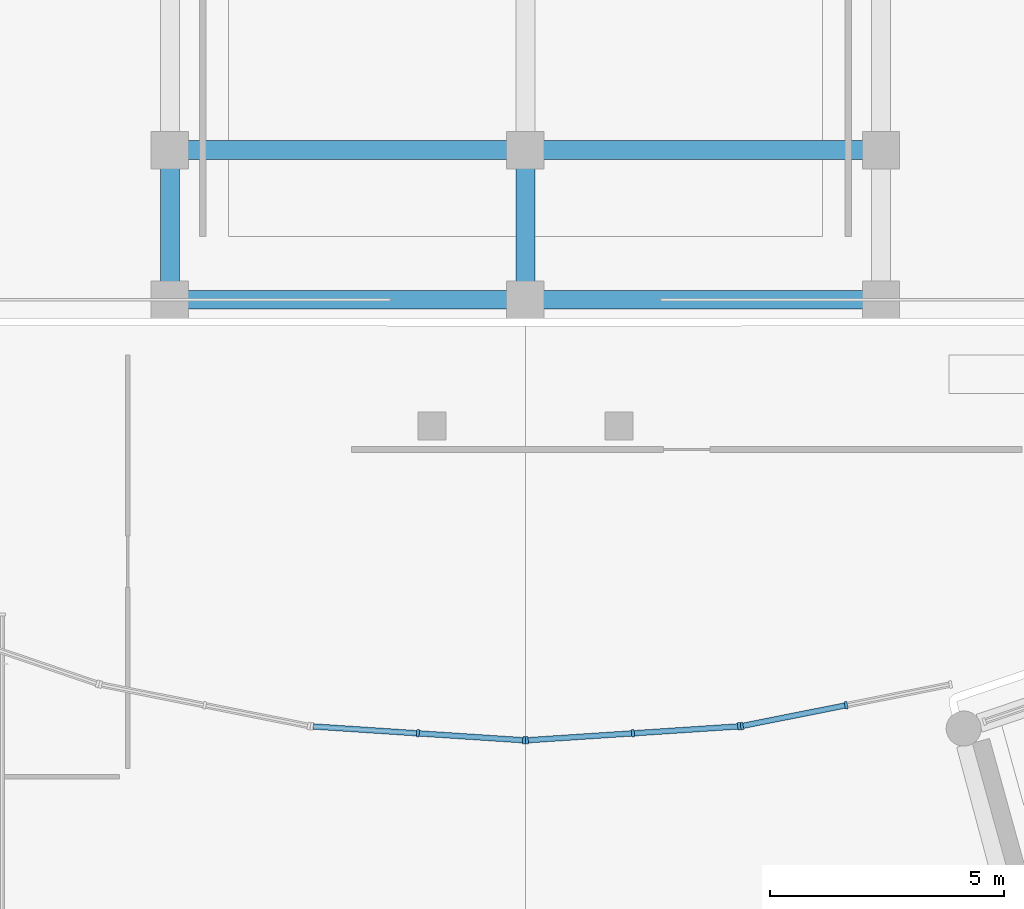
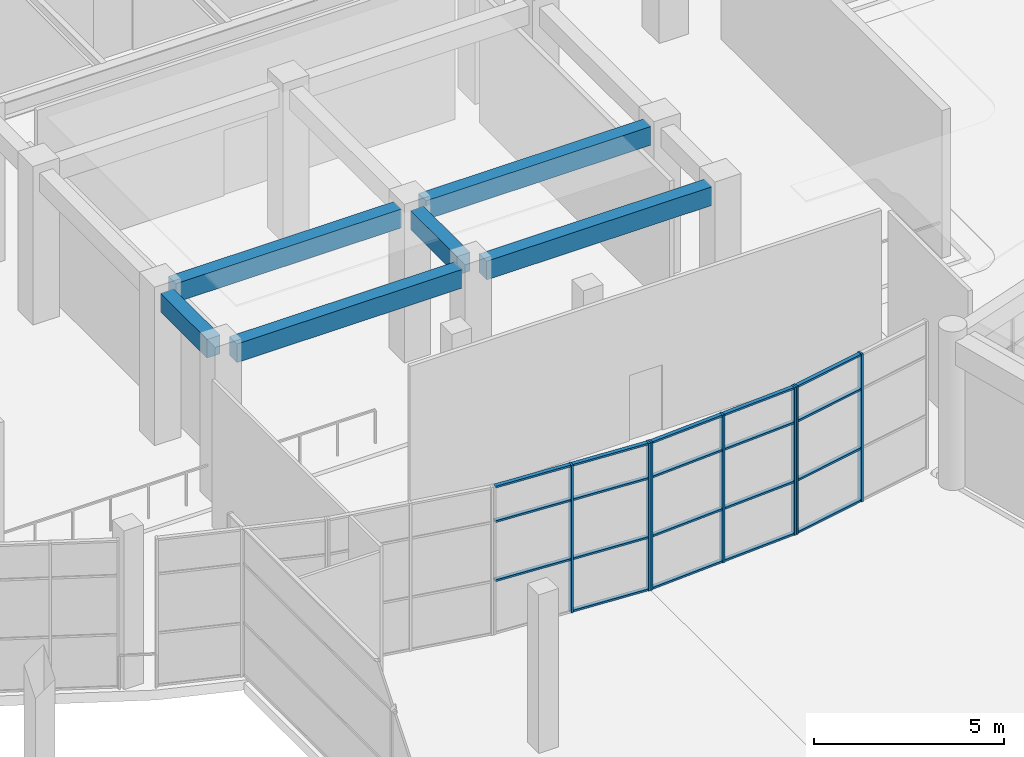
# One storey, part 24 of 99: 26 members, 6 beams, 3 elements without a shape of their own.
"""IFC4 building model written with IfcOpenShell, lengths in metres."""

from ifc_helpers import new_model, si_unit, direction, frame, origin, origin_2d, place, context, subcontext, project, spatial, rectangle, extrude, material, material_profile, profile_set, type_object, element, aggregate, save


model = new_model("IFC4")

# Units and contexts
model_context = context("Model", 3, precision=1e-05, world=origin(), true_north=direction((0.0, 1.0)))
body_context = subcontext(model_context, "Body", "Model", "MODEL_VIEW")
ifc_project = project(units=[si_unit("LENGTHUNIT", "METRE"), si_unit("AREAUNIT", "SQUARE_METRE"), si_unit("VOLUMEUNIT", "CUBIC_METRE"), si_unit("PLANEANGLEUNIT", "RADIAN"), si_unit("MASSUNIT", "GRAM", prefix="KILO")], contexts=[model_context])

# Site, building, storey
site_placement = place(None, origin())
site = spatial("IfcSite", under=ifc_project, at=site_placement, CompositionType="ELEMENT")
building_placement = place(site_placement, origin())
building = spatial("IfcBuilding", under=site, at=building_placement, Name="Saryqyr Civic Hall", CompositionType="ELEMENT")
storey_placement = place(building_placement, origin())
storey = spatial("IfcBuildingStorey", under=building, at=storey_placement, Name="L00", CompositionType="ELEMENT", Elevation=0.0)

# Curtain wall, members
ifc_material_1 = material(Name="Anodised aluminium and triple low-E glass", Category="aluminium")
curtain_wall_type = type_object("IfcCurtainWallType", Name="ENV-CW-STD-67", PredefinedType="NOTDEFINED", material=ifc_material_1)
curtain_wall_1_placement = place(storey_placement, origin())
curtain_wall_1 = element("IfcCurtainWall", 1, at=curtain_wall_1_placement, inside=storey, type_object=curtain_wall_type, Name="Curtain wall V2-PERIM-CW-L00-35", PredefinedType="NOTDEFINED")
ifc_material_2 = material(Name="Anodised aluminium", Category="aluminium")
ifc_material_profile_1 = material_profile(ifc_material_2, rectangle(XDim=0.06005859375, YDim=0.159912109375, at=origin_2d()), Name="ALU MULLION 60x160")
ifc_profile_set_1 = profile_set([ifc_material_profile_1], Name="Anodised aluminium")
member_type_1 = type_object("IfcMemberType", Name="ENV-CW-MUL-180", PredefinedType="MULLION", material=ifc_profile_set_1)
member_1_placement = place(storey_placement, frame((56.969970703125, 48.781982421875, 0.0), z_axis=(0.0, 0.0, 1.0), x_axis=(-0.997859062814, 0.065400999681, 0.0)))
member_1 = element("IfcMember", 2, at=member_1_placement, type_object=member_type_1, Name="CW-67 mullion 1", PredefinedType="MULLION", context=body_context, shape_type="SweptSolid", body=[
    extrude(rectangle(XDim=0.06005859375, YDim=0.159912109375, at=origin_2d()), origin(), (0.0, 0.0, 1.0), 4.75),
])
member_2_placement = place(storey_placement, frame((54.701416015625, 48.9306640625, 0.0), z_axis=(0.0, 0.0, 1.0), x_axis=(-0.997859062814, 0.065400999681, 0.0)))
member_2 = element("IfcMember", 3, at=member_2_placement, type_object=member_type_1, Name="CW-67 mullion 2", PredefinedType="MULLION", context=body_context, shape_type="SweptSolid", body=[
    extrude(rectangle(XDim=0.06005859375, YDim=0.159912109375, at=origin_2d()), origin(), (0.0, 0.0, 1.0), 4.75),
])

curtain_wall_2_placement = place(storey_placement, origin())
curtain_wall_2 = element("IfcCurtainWall", 4, at=curtain_wall_2_placement, inside=storey, type_object=curtain_wall_type, Name="Curtain wall V2-PERIM-CW-L00-36", PredefinedType="NOTDEFINED")
member_3_placement = place(storey_placement, frame((61.567138671875, 49.079345703125, 0.0), z_axis=(0.0, 0.0, 1.0), x_axis=(-0.997859062814, -0.065400999681, 0.0)))
member_3 = element("IfcMember", 5, at=member_3_placement, type_object=member_type_1, Name="CW-67 mullion 1", PredefinedType="MULLION", context=body_context, shape_type="SweptSolid", body=[
    extrude(rectangle(XDim=0.06005859375, YDim=0.159912109375, at=origin_2d()), origin(), (0.0, 0.0, 1.0), 4.75),
])
member_4_placement = place(storey_placement, frame((59.298583984375, 48.9306640625, 0.0), z_axis=(0.0, 0.0, 1.0), x_axis=(-0.997859062814, -0.065400999681, 0.0)))
member_4 = element("IfcMember", 6, at=member_4_placement, type_object=member_type_1, Name="CW-67 mullion 2", PredefinedType="MULLION", context=body_context, shape_type="SweptSolid", body=[
    extrude(rectangle(XDim=0.06005859375, YDim=0.159912109375, at=origin_2d()), origin(), (0.0, 0.0, 1.0), 4.75),
])
member_5_placement = place(storey_placement, frame((57.030029296875, 48.781982421875, 0.0), z_axis=(0.0, 0.0, 1.0), x_axis=(-0.997859062814, -0.065400999681, 0.0)))
member_5 = element("IfcMember", 7, at=member_5_placement, type_object=member_type_1, Name="CW-67 mullion 3", PredefinedType="MULLION", context=body_context, shape_type="SweptSolid", body=[
    extrude(rectangle(XDim=0.06005859375, YDim=0.159912109375, at=origin_2d()), origin(), (0.0, 0.0, 1.0), 4.75),
])

curtain_wall_3_placement = place(storey_placement, origin())
curtain_wall_3 = element("IfcCurtainWall", 8, at=curtain_wall_3_placement, inside=storey, type_object=curtain_wall_type, Name="Curtain wall V2-PERIM-CW-L00-37", PredefinedType="NOTDEFINED")
member_6_placement = place(storey_placement, frame((63.8564453125, 49.53076171875, 0.0), z_axis=(0.0, 0.0, 1.0), x_axis=(-0.980784679507, -0.195093342902, 0.0)))
member_6 = element("IfcMember", 9, at=member_6_placement, type_object=member_type_1, Name="CW-67 mullion 2", PredefinedType="MULLION", context=body_context, shape_type="SweptSolid", body=[
    extrude(rectangle(XDim=0.06005859375, YDim=0.159912109375, at=origin_2d()), origin(), (0.0, 0.0, 1.0), 4.75),
])
member_7_placement = place(storey_placement, frame((61.62646484375, 49.087158203125, 0.0), z_axis=(0.0, 0.0, 1.0), x_axis=(-0.980784679507, -0.195093342902, 0.0)))
member_7 = element("IfcMember", 10, at=member_7_placement, type_object=member_type_1, Name="CW-67 mullion 3", PredefinedType="MULLION", context=body_context, shape_type="SweptSolid", body=[
    extrude(rectangle(XDim=0.06005859375, YDim=0.159912109375, at=origin_2d()), origin(), (0.0, 0.0, 1.0), 4.75),
])

# Member
ifc_material_profile_2 = material_profile(ifc_material_2, rectangle(XDim=0.1201171875, YDim=0.06005859375, at=origin_2d()), Name="ALU TRANSOM 120x60")
ifc_profile_set_2 = profile_set([ifc_material_profile_2], Name="Anodised aluminium")
member_type_2 = type_object("IfcMemberType", Name="ENV-CW-TRN-150", PredefinedType="USERDEFINED", material=ifc_profile_set_2)
member_8_placement = place(storey_placement, frame((56.940185546875, 48.783935546875, 0.030029296875), z_axis=(-0.997858719579, 0.0654062364, 0.0), x_axis=(-0.0654062364, -0.997858719579, 0.0)))
member_8 = element("IfcMember", 11, at=member_8_placement, type_object=member_type_2, Name="CW-67 transom 1.1", ObjectType="TRANSOM", PredefinedType="USERDEFINED", context=body_context, shape_type="SweptSolid", body=[
    extrude(rectangle(XDim=0.1201171875, YDim=0.06005859375, at=origin_2d()), origin(), (0.0, 0.0, 1.0), 2.21337890625),
])

member_9_placement = place(storey_placement, frame((56.940185546875, 48.783935546875, 1.7099609375), z_axis=(-0.997858719579, 0.0654062364, 0.0), x_axis=(-0.0654062364, -0.997858719579, 0.0)))
member_9 = element("IfcMember", 12, at=member_9_placement, type_object=member_type_2, Name="CW-67 transom 1.2", ObjectType="TRANSOM", PredefinedType="USERDEFINED", context=body_context, shape_type="SweptSolid", body=[
    extrude(rectangle(XDim=0.1201171875, YDim=0.06005859375, at=origin_2d()), origin(), (0.0, 0.0, 1.0), 2.21337890625),
])

member_10_placement = place(storey_placement, frame((56.940185546875, 48.783935546875, 3.610107421875), z_axis=(-0.997858719579, 0.0654062364, 0.0), x_axis=(-0.0654062364, -0.997858719579, 0.0)))
member_10 = element("IfcMember", 13, at=member_10_placement, type_object=member_type_2, Name="CW-67 transom 1.3", ObjectType="TRANSOM", PredefinedType="USERDEFINED", context=body_context, shape_type="SweptSolid", body=[
    extrude(rectangle(XDim=0.1201171875, YDim=0.06005859375, at=origin_2d()), origin(), (0.0, 0.0, 1.0), 2.21337890625),
])

member_11_placement = place(storey_placement, frame((56.940185546875, 48.783935546875, 4.719970703125), z_axis=(-0.997858719579, 0.0654062364, 0.0), x_axis=(-0.0654062364, -0.997858719579, 0.0)))
member_11 = element("IfcMember", 14, at=member_11_placement, type_object=member_type_2, Name="CW-67 transom 1.4", ObjectType="TRANSOM", PredefinedType="USERDEFINED", context=body_context, shape_type="SweptSolid", body=[
    extrude(rectangle(XDim=0.1201171875, YDim=0.06005859375, at=origin_2d()), origin(), (0.0, 0.0, 1.0), 2.21337890625),
])

member_12_placement = place(storey_placement, frame((54.671630859375, 48.9326171875, 1.7099609375), z_axis=(-0.997858719579, 0.0654062364, 0.0), x_axis=(-0.0654062364, -0.997858719579, 0.0)))
member_12 = element("IfcMember", 15, at=member_12_placement, type_object=member_type_2, Name="CW-67 transom 2.2", ObjectType="TRANSOM", PredefinedType="USERDEFINED", context=body_context, shape_type="SweptSolid", body=[
    extrude(rectangle(XDim=0.1201171875, YDim=0.06005859375, at=origin_2d()), origin(), (0.0, 0.0, 1.0), 2.21337890625),
])

member_13_placement = place(storey_placement, frame((54.671630859375, 48.9326171875, 3.610107421875), z_axis=(-0.997858719579, 0.0654062364, 0.0), x_axis=(-0.0654062364, -0.997858719579, 0.0)))
member_13 = element("IfcMember", 16, at=member_13_placement, type_object=member_type_2, Name="CW-67 transom 2.3", ObjectType="TRANSOM", PredefinedType="USERDEFINED", context=body_context, shape_type="SweptSolid", body=[
    extrude(rectangle(XDim=0.1201171875, YDim=0.06005859375, at=origin_2d()), origin(), (0.0, 0.0, 1.0), 2.21337890625),
])

member_14_placement = place(storey_placement, frame((54.671630859375, 48.9326171875, 4.719970703125), z_axis=(-0.997858719579, 0.0654062364, 0.0), x_axis=(-0.0654062364, -0.997858719579, 0.0)))
member_14 = element("IfcMember", 17, at=member_14_placement, type_object=member_type_2, Name="CW-67 transom 2.4", ObjectType="TRANSOM", PredefinedType="USERDEFINED", context=body_context, shape_type="SweptSolid", body=[
    extrude(rectangle(XDim=0.1201171875, YDim=0.06005859375, at=origin_2d()), origin(), (0.0, 0.0, 1.0), 2.21337890625),
])

aggregate(curtain_wall_1, [member_1, member_2, member_8, member_9, member_10, member_11, member_12, member_13, member_14])

member_15_placement = place(storey_placement, frame((61.537109375, 49.077392578125, 0.030029296875), z_axis=(-0.997858719579, -0.0654062364, 0.0), x_axis=(0.0654062364, -0.997858719579, 0.0)))
member_15 = element("IfcMember", 18, at=member_15_placement, type_object=member_type_2, Name="CW-67 transom 1.1", ObjectType="TRANSOM", PredefinedType="USERDEFINED", context=body_context, shape_type="SweptSolid", body=[
    extrude(rectangle(XDim=0.1201171875, YDim=0.06005859375, at=origin_2d()), origin(), (0.0, 0.0, 1.0), 2.21337890625),
])

member_16_placement = place(storey_placement, frame((61.537109375, 49.077392578125, 1.7099609375), z_axis=(-0.997858719579, -0.0654062364, 0.0), x_axis=(0.0654062364, -0.997858719579, 0.0)))
member_16 = element("IfcMember", 19, at=member_16_placement, type_object=member_type_2, Name="CW-67 transom 1.2", ObjectType="TRANSOM", PredefinedType="USERDEFINED", context=body_context, shape_type="SweptSolid", body=[
    extrude(rectangle(XDim=0.1201171875, YDim=0.06005859375, at=origin_2d()), origin(), (0.0, 0.0, 1.0), 2.21337890625),
])

member_17_placement = place(storey_placement, frame((61.537109375, 49.077392578125, 3.610107421875), z_axis=(-0.997858719579, -0.0654062364, 0.0), x_axis=(0.0654062364, -0.997858719579, 0.0)))
member_17 = element("IfcMember", 20, at=member_17_placement, type_object=member_type_2, Name="CW-67 transom 1.3", ObjectType="TRANSOM", PredefinedType="USERDEFINED", context=body_context, shape_type="SweptSolid", body=[
    extrude(rectangle(XDim=0.1201171875, YDim=0.06005859375, at=origin_2d()), origin(), (0.0, 0.0, 1.0), 2.21337890625),
])

member_18_placement = place(storey_placement, frame((61.537109375, 49.077392578125, 4.719970703125), z_axis=(-0.997858719579, -0.0654062364, 0.0), x_axis=(0.0654062364, -0.997858719579, 0.0)))
member_18 = element("IfcMember", 21, at=member_18_placement, type_object=member_type_2, Name="CW-67 transom 1.4", ObjectType="TRANSOM", PredefinedType="USERDEFINED", context=body_context, shape_type="SweptSolid", body=[
    extrude(rectangle(XDim=0.1201171875, YDim=0.06005859375, at=origin_2d()), origin(), (0.0, 0.0, 1.0), 2.21337890625),
])

member_19_placement = place(storey_placement, frame((59.2685546875, 48.9287109375, 0.030029296875), z_axis=(-0.997858719579, -0.0654062364, 0.0), x_axis=(0.0654062364, -0.997858719579, 0.0)))
member_19 = element("IfcMember", 22, at=member_19_placement, type_object=member_type_2, Name="CW-67 transom 2.1", ObjectType="TRANSOM", PredefinedType="USERDEFINED", context=body_context, shape_type="SweptSolid", body=[
    extrude(rectangle(XDim=0.1201171875, YDim=0.06005859375, at=origin_2d()), origin(), (0.0, 0.0, 1.0), 2.21337890625),
])

member_20_placement = place(storey_placement, frame((59.2685546875, 48.9287109375, 1.7099609375), z_axis=(-0.997858719579, -0.0654062364, 0.0), x_axis=(0.0654062364, -0.997858719579, 0.0)))
member_20 = element("IfcMember", 23, at=member_20_placement, type_object=member_type_2, Name="CW-67 transom 2.2", ObjectType="TRANSOM", PredefinedType="USERDEFINED", context=body_context, shape_type="SweptSolid", body=[
    extrude(rectangle(XDim=0.1201171875, YDim=0.06005859375, at=origin_2d()), origin(), (0.0, 0.0, 1.0), 2.21337890625),
])

member_21_placement = place(storey_placement, frame((59.2685546875, 48.9287109375, 3.610107421875), z_axis=(-0.997858719579, -0.0654062364, 0.0), x_axis=(0.0654062364, -0.997858719579, 0.0)))
member_21 = element("IfcMember", 24, at=member_21_placement, type_object=member_type_2, Name="CW-67 transom 2.3", ObjectType="TRANSOM", PredefinedType="USERDEFINED", context=body_context, shape_type="SweptSolid", body=[
    extrude(rectangle(XDim=0.1201171875, YDim=0.06005859375, at=origin_2d()), origin(), (0.0, 0.0, 1.0), 2.21337890625),
])

member_22_placement = place(storey_placement, frame((59.2685546875, 48.9287109375, 4.719970703125), z_axis=(-0.997858719579, -0.0654062364, 0.0), x_axis=(0.0654062364, -0.997858719579, 0.0)))
member_22 = element("IfcMember", 25, at=member_22_placement, type_object=member_type_2, Name="CW-67 transom 2.4", ObjectType="TRANSOM", PredefinedType="USERDEFINED", context=body_context, shape_type="SweptSolid", body=[
    extrude(rectangle(XDim=0.1201171875, YDim=0.06005859375, at=origin_2d()), origin(), (0.0, 0.0, 1.0), 2.21337890625),
])

aggregate(curtain_wall_2, [member_3, member_4, member_5, member_15, member_16, member_17, member_18, member_19, member_20, member_21, member_22])

member_23_placement = place(storey_placement, frame((63.826904296875, 49.52490234375, 0.030029296875), z_axis=(-0.980779555737, -0.195119099651, 0.0), x_axis=(0.195119099651, -0.980779555737, 0.0)))
member_23 = element("IfcMember", 26, at=member_23_placement, type_object=member_type_2, Name="CW-67 transom 2.1", ObjectType="TRANSOM", PredefinedType="USERDEFINED", context=body_context, shape_type="SweptSolid", body=[
    extrude(rectangle(XDim=0.1201171875, YDim=0.06005859375, at=origin_2d()), origin(), (0.0, 0.0, 1.0), 2.21337890625),
])

member_24_placement = place(storey_placement, frame((63.826904296875, 49.52490234375, 1.7099609375), z_axis=(-0.980779555737, -0.195119099651, 0.0), x_axis=(0.195119099651, -0.980779555737, 0.0)))
member_24 = element("IfcMember", 27, at=member_24_placement, type_object=member_type_2, Name="CW-67 transom 2.2", ObjectType="TRANSOM", PredefinedType="USERDEFINED", context=body_context, shape_type="SweptSolid", body=[
    extrude(rectangle(XDim=0.1201171875, YDim=0.06005859375, at=origin_2d()), origin(), (0.0, 0.0, 1.0), 2.21337890625),
])

member_25_placement = place(storey_placement, frame((63.826904296875, 49.52490234375, 3.610107421875), z_axis=(-0.980779555737, -0.195119099651, 0.0), x_axis=(0.195119099651, -0.980779555737, 0.0)))
member_25 = element("IfcMember", 28, at=member_25_placement, type_object=member_type_2, Name="CW-67 transom 2.3", ObjectType="TRANSOM", PredefinedType="USERDEFINED", context=body_context, shape_type="SweptSolid", body=[
    extrude(rectangle(XDim=0.1201171875, YDim=0.06005859375, at=origin_2d()), origin(), (0.0, 0.0, 1.0), 2.21337890625),
])

member_26_placement = place(storey_placement, frame((63.826904296875, 49.52490234375, 4.719970703125), z_axis=(-0.980779555737, -0.195119099651, 0.0), x_axis=(0.195119099651, -0.980779555737, 0.0)))
member_26 = element("IfcMember", 29, at=member_26_placement, type_object=member_type_2, Name="CW-67 transom 2.4", ObjectType="TRANSOM", PredefinedType="USERDEFINED", context=body_context, shape_type="SweptSolid", body=[
    extrude(rectangle(XDim=0.1201171875, YDim=0.06005859375, at=origin_2d()), origin(), (0.0, 0.0, 1.0), 2.21337890625),
])

aggregate(curtain_wall_3, [member_6, member_7, member_23, member_24, member_25, member_26])

# Beams
ifc_material_3 = material(Name="Concrete C35/45", Category="concrete")
ifc_material_profile_3 = material_profile(ifc_material_3, rectangle(XDim=0.39990234375, YDim=0.60009765625, at=origin_2d()), Name="RC 400x600")
ifc_profile_set_3 = profile_set([ifc_material_profile_3], Name="Concrete C35/45")
beam_type = type_object("IfcBeamType", Name="STR-BM-RC400x600", PredefinedType="BEAM", material=ifc_profile_set_3)
for number, where, z_axis, x_axis, name in (
    (30, (49.39990234375, 58.574951171875, 4.52001953125), (0.0, 1.0, 0.0), (-1.0, 0.0, 0.0), "Beam V1-TBM-07-L00"),
    (31, (57.0, 58.574951171875, 4.52001953125), (0.0, 1.0, 0.0), (-1.0, 0.0, 0.0), "Beam V1-TBM-08-L00"),
):
    element("IfcBeam", number, at=place(storey_placement, frame(where, z_axis=z_axis, x_axis=x_axis)), inside=storey, type_object=beam_type, Name=name, PredefinedType="BEAM", context=body_context, shape_type="SweptSolid", body=[
        extrude(rectangle(XDim=0.39990234375, YDim=0.60009765625, at=origin_2d()), origin(), (0.0, 0.0, 1.0), 2.449951171875),
    ])
for number, where, z_axis, x_axis, name in (
    (32, (49.77490234375, 58.199951171875, 4.52001953125), (1.0, 0.0, 0.0), (0.0, 1.0, 0.0), "Beam V1-TBM-17-L00"),
    (33, (57.375, 58.199951171875, 4.52001953125), (1.0, 0.0, 0.0), (0.0, 1.0, 0.0), "Beam V1-TBM-18-L00"),
    (34, (49.77490234375, 61.39990234375, 4.52001953125), (1.0, 0.0, 0.0), (0.0, 1.0, 0.0), "Beam V1-TBM-37-L00"),
    (35, (57.375, 61.39990234375, 4.52001953125), (1.0, 0.0, 0.0), (0.0, 1.0, 0.0), "Beam V1-TBM-38-L00"),
):
    element("IfcBeam", number, at=place(storey_placement, frame(where, z_axis=z_axis, x_axis=x_axis)), inside=storey, type_object=beam_type, Name=name, PredefinedType="BEAM", context=body_context, shape_type="SweptSolid", body=[
        extrude(rectangle(XDim=0.39990234375, YDim=0.60009765625, at=origin_2d()), origin(), (0.0, 0.0, 1.0), 6.85009765625),
    ])

save(model, "model.ifc")
